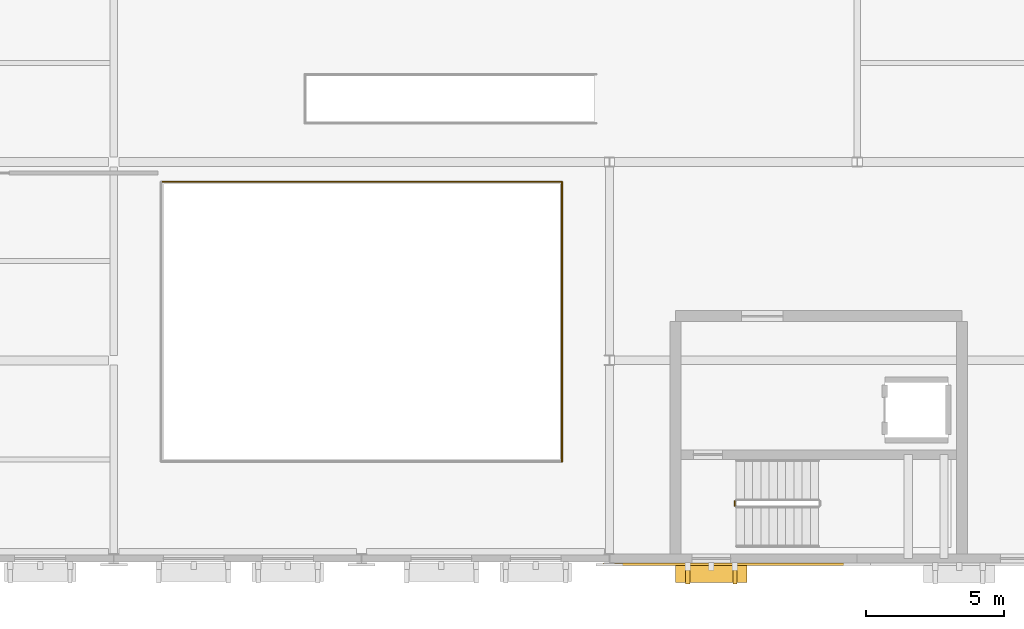
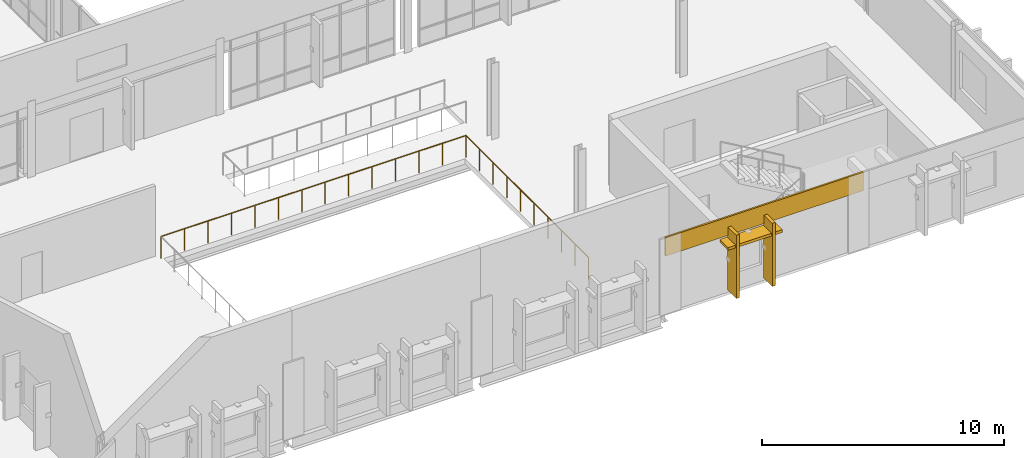
# One storey, part 75 of 85: 3 railings, 3 shading devices, 1 covering.
"""IFC4 building model written with IfcOpenShell, lengths in metres."""

from ifc_helpers import new_model, si_unit, direction, frame, origin, origin_2d, place, context, subcontext, project, spatial, rectangle, circle, extrude, material, layer, layer_set, type_object, element, save


model = new_model("IFC4")

# Units and contexts
model_context = context("Model", 3, precision=1e-05, world=origin(), true_north=direction((0.0, 1.0)))
body_context = subcontext(model_context, "Body", "Model", "MODEL_VIEW")
ifc_project = project(units=[si_unit("LENGTHUNIT", "METRE"), si_unit("AREAUNIT", "SQUARE_METRE"), si_unit("VOLUMEUNIT", "CUBIC_METRE"), si_unit("PLANEANGLEUNIT", "RADIAN"), si_unit("MASSUNIT", "GRAM", prefix="KILO")], contexts=[model_context])

# Site, building, storey
site_placement = place(None, origin())
site = spatial("IfcSite", under=ifc_project, at=site_placement, CompositionType="ELEMENT")
building_placement = place(site_placement, origin())
building = spatial("IfcBuilding", under=site, at=building_placement, Name="Vervanel Yard Central Library", CompositionType="ELEMENT")
storey_placement = place(building_placement, frame((0.0, 0.0, 5.10009765625)))
storey = spatial("IfcBuildingStorey", under=building, at=storey_placement, Name="L01", CompositionType="ELEMENT", Elevation=5.10009765625)

# Covering
ifc_material_1 = material(Name="Precast concrete C45/55", Category="concrete")
ifc_layer = layer(ifc_material_1, 0.0849609375, Category="concrete")
ifc_layer_set = layer_set([ifc_layer], Name="Precast concrete C45/55")
covering_type = type_object("IfcCoveringType", Name="Bush-Hammered Precast Architectural Cladding Panel", PredefinedType="CLADDING", material=ifc_layer_set)
covering_placement = place(storey_placement, frame((94.5, -0.2099609375, 2.93017578125), z_axis=(0.0, 0.0, 1.0), x_axis=(1.0, 0.0, 0.0)))
element("IfcCovering", 1, at=covering_placement, inside=storey, type_object=covering_type, Name="L01 Precast Concrete Spandrel Cornice EWALL-L01-0203", PredefinedType="CLADDING", context=body_context, shape_type="SweptSolid", body=[
    extrude(rectangle(XDim=9.449951171875, YDim=0.0849609375, at=origin_2d()), origin(), (0.0, 0.0, 1.0), 0.929931640625),
])

# Railings
ifc_material_2 = material(Name="Brushed stainless steel AISI 316", Category="steel")
railing_type_1 = type_object("IfcRailingType", Name="Glazed Atrium & Gallery Balustrade 1120", PredefinedType="BALUSTRADE", material=ifc_material_2)
railing_1_placement = place(storey_placement, frame((88.280029296875, 3.52001953125, 0.0)))
element("IfcRailing", 2, at=railing_1_placement, inside=storey, type_object=railing_type_1, Name="L01 Void Guard V5AMP-GD-L01 E", PredefinedType="BALUSTRADE", context=body_context, shape_type="SweptSolid", body=[
    extrude(circle(Radius=0.02392578125, at=origin_2d()), frame((0.0, 0.0, 1.09619140625), z_axis=(0.0, 1.0, 0.0), x_axis=(-1.0, 0.0, 0.0)), (0.0, 0.0, 1.0), 10.159912109375),
    extrude(circle(Radius=0.02099609375, at=origin_2d()), origin(), (0.0, 0.0, 1.0), 1.072021484375),
    extrude(circle(Radius=0.02099609375, at=origin_2d()), frame((0.0, 1.12890625, 0.0)), (0.0, 0.0, 1.0), 1.072021484375),
    extrude(circle(Radius=0.02099609375, at=origin_2d()), frame((0.0, 2.2578125, 0.0)), (0.0, 0.0, 1.0), 1.072021484375),
    extrude(circle(Radius=0.02099609375, at=origin_2d()), frame((0.0, 3.38671875, 0.0)), (0.0, 0.0, 1.0), 1.072021484375),
    extrude(circle(Radius=0.02099609375, at=origin_2d()), frame((0.0, 4.515625, 0.0)), (0.0, 0.0, 1.0), 1.072021484375),
    extrude(circle(Radius=0.02099609375, at=origin_2d()), frame((0.0, 5.644287109375, 0.0)), (0.0, 0.0, 1.0), 1.072021484375),
    extrude(circle(Radius=0.02099609375, at=origin_2d()), frame((0.0, 6.773193359375, 0.0)), (0.0, 0.0, 1.0), 1.072021484375),
    extrude(circle(Radius=0.02099609375, at=origin_2d()), frame((0.0, 7.902099609375, 0.0)), (0.0, 0.0, 1.0), 1.072021484375),
    extrude(circle(Radius=0.02099609375, at=origin_2d()), frame((0.0, 9.031005859375, 0.0)), (0.0, 0.0, 1.0), 1.072021484375),
    extrude(circle(Radius=0.02099609375, at=origin_2d()), frame((0.0, 10.159912109375, 0.0)), (0.0, 0.0, 1.0), 1.072021484375),
])
railing_2_placement = place(storey_placement, frame((88.280029296875, 13.679931640625, 0.0)))
element("IfcRailing", 3, at=railing_2_placement, inside=storey, type_object=railing_type_1, Name="L01 Void Guard V5AMP-GD-L01 N", PredefinedType="BALUSTRADE", context=body_context, shape_type="SweptSolid", body=[
    extrude(circle(Radius=0.02392578125, at=origin_2d()), frame((0.0, 0.0, 1.09619140625), z_axis=(-1.0, 0.0, 0.0), x_axis=(0.0, -1.0, 0.0)), (0.0, 0.0, 1.0), 14.56005859375),
    extrude(circle(Radius=0.02099609375, at=origin_2d()), origin(), (0.0, 0.0, 1.0), 1.072021484375),
    extrude(circle(Radius=0.02099609375, at=origin_2d()), frame((-1.1201171875, 0.0, 0.0)), (0.0, 0.0, 1.0), 1.072021484375),
    extrude(circle(Radius=0.02099609375, at=origin_2d()), frame((-2.239990234375, 0.0, 0.0)), (0.0, 0.0, 1.0), 1.072021484375),
    extrude(circle(Radius=0.02099609375, at=origin_2d()), frame((-3.360107421875, 0.0, 0.0)), (0.0, 0.0, 1.0), 1.072021484375),
    extrude(circle(Radius=0.02099609375, at=origin_2d()), frame((-4.47998046875, 0.0, 0.0)), (0.0, 0.0, 1.0), 1.072021484375),
    extrude(circle(Radius=0.02099609375, at=origin_2d()), frame((-5.60009765625, 0.0, 0.0)), (0.0, 0.0, 1.0), 1.072021484375),
    extrude(circle(Radius=0.02099609375, at=origin_2d()), frame((-6.719970703125, 0.0, 0.0)), (0.0, 0.0, 1.0), 1.072021484375),
    extrude(circle(Radius=0.02099609375, at=origin_2d()), frame((-7.840087890625, 0.0, 0.0)), (0.0, 0.0, 1.0), 1.072021484375),
    extrude(circle(Radius=0.02099609375, at=origin_2d()), frame((-8.9599609375, 0.0, 0.0)), (0.0, 0.0, 1.0), 1.072021484375),
    extrude(circle(Radius=0.02099609375, at=origin_2d()), frame((-10.080078125, 0.0, 0.0)), (0.0, 0.0, 1.0), 1.072021484375),
    extrude(circle(Radius=0.02099609375, at=origin_2d()), frame((-11.199951171875, 0.0, 0.0)), (0.0, 0.0, 1.0), 1.072021484375),
    extrude(circle(Radius=0.02099609375, at=origin_2d()), frame((-12.320068359375, 0.0, 0.0)), (0.0, 0.0, 1.0), 1.072021484375),
    extrude(circle(Radius=0.02099609375, at=origin_2d()), frame((-13.43994140625, 0.0, 0.0)), (0.0, 0.0, 1.0), 1.072021484375),
    extrude(circle(Radius=0.02099609375, at=origin_2d()), frame((-14.56005859375, 0.0, 0.0)), (0.0, 0.0, 1.0), 1.072021484375),
])

# Shading device
shading_device_type_1 = type_object("IfcShadingDeviceType", Name="Horizontal Precast Brise-Soleil Sunhood 2600x680x140", PredefinedType="JALOUSIE", material=ifc_material_1)
shading_device_placement = place(storey_placement, frame((93.699951171875, -0.5400390625, 2.68017578125), z_axis=(0.0, 0.0, 1.0), x_axis=(1.0, 0.0, 0.0)))
element("IfcShadingDevice", 4, at=shading_device_placement, inside=storey, type_object=shading_device_type_1, Name="L01 Precast Horizontal Sunhood 117", PredefinedType="JALOUSIE", context=body_context, shape_type="SweptSolid", body=[
    extrude(rectangle(XDim=2.60009765625, YDim=0.679931640625, at=origin_2d()), origin(), (0.0, 0.0, 1.0), 0.139892578125),
])

# Railing
ifc_material_3 = material(Name="Galvanized painted steelwork ASTM A500 Grade C", Category="steel")
railing_type_2 = type_object("IfcRailingType", Name="Painted Steel Guardrail 1100", PredefinedType="GUARDRAIL", material=ifc_material_3)
railing_3_placement = place(storey_placement, frame((94.550048828125, 1.919921875, 0.0)))
element("IfcRailing", 5, at=railing_3_placement, inside=storey, type_object=railing_type_2, Name="L01 ST-06 stair guard 4", PredefinedType="GUARDRAIL", context=body_context, shape_type="SweptSolid", body=[
    extrude(circle(Radius=0.02392578125, at=origin_2d()), frame((0.0, 0.0, 1.076171875), z_axis=(0.0, 1.0, 0.0), x_axis=(-1.0, 0.0, 0.0)), (0.0, 0.0, 1.0), 0.16015625),
    extrude(circle(Radius=0.02099609375, at=origin_2d()), origin(), (0.0, 0.0, 1.0), 1.052001953125),
    extrude(circle(Radius=0.02099609375, at=origin_2d()), frame((0.0, 0.16015625, 0.0)), (0.0, 0.0, 1.0), 1.052001953125),
])

# Shading devices
shading_device_type_2 = type_object("IfcShadingDeviceType", Name="Vertical Precast Solar Fin 160x720x3200", PredefinedType="JALOUSIE", material=ifc_material_1)
for number, where, z_axis, x_axis, name in (
    (6, (92.840087890625, -0.570068359375, 0.14990234375), (0.0, 0.0, 1.0), (1.0, 0.0, 0.0), "L01 Precast Solar Fin 597"),
    (7, (94.56005859375, -0.570068359375, 0.14990234375), (0.0, 0.0, 1.0), (1.0, 0.0, 0.0), "L01 Precast Solar Fin 598"),
):
    element("IfcShadingDevice", number, at=place(storey_placement, frame(where, z_axis=z_axis, x_axis=x_axis)), inside=storey, type_object=shading_device_type_2, Name=name, PredefinedType="JALOUSIE", context=body_context, shape_type="SweptSolid", body=[
        extrude(rectangle(XDim=0.159912109375, YDim=0.719970703125, at=origin_2d()), origin(), (0.0, 0.0, 1.0), 3.199951171875),
    ])

save(model, "model.ifc")
